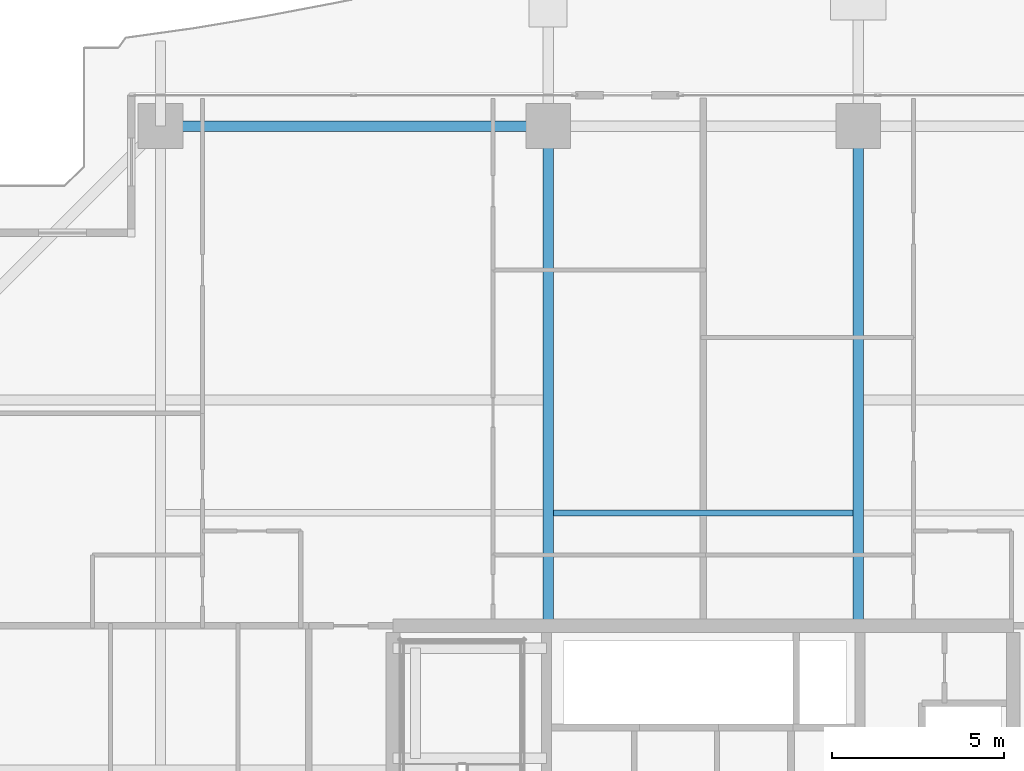
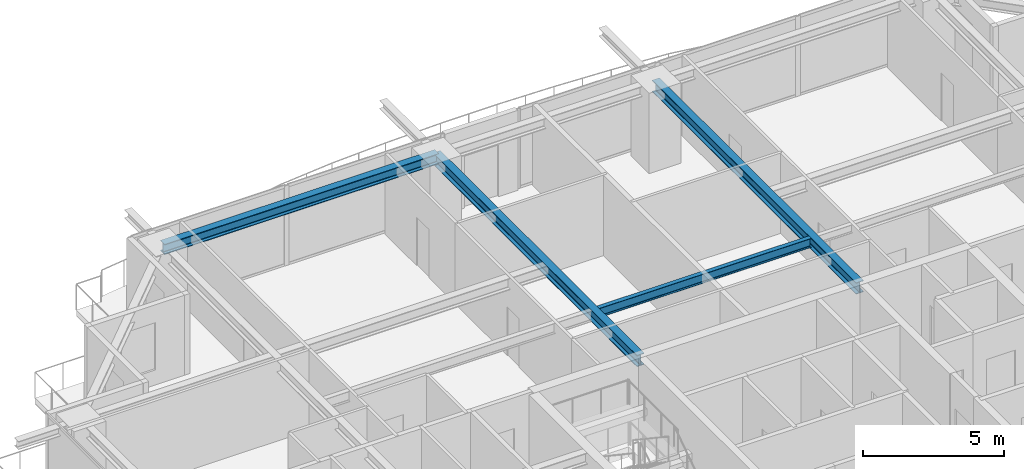
# One storey, part 20 of 38: 4 beams.
"""IFC4 building model written with IfcOpenShell, lengths in metres."""

import ifcopenshell
import ifcopenshell.guid

model = None  # the IFC model being written
_history = None  # IfcOwnerHistory: only IFC2X3 demands one
_inside = {}  # id of a spatial element -> (the spatial element, [elements in it])
_under = {}  # id of a project, library or spatial element -> (it, [spatial elements below it])
_declared = {}  # id of a project -> (the project, [libraries it declares])
_typed = {}  # id of a type object -> (the type object, [elements of that type])
_made_of = {}  # id of a material, layer set ... -> (it, [elements and type objects made of it])


def new_model(schema):
    """Start an empty IFC model of exactly this schema.

    Asked for "IFC4X3", IfcOpenShell would pick the latest addendum, in which some entities
    have other attributes; the version numbers below select the first issue.
    IFC2X3 requires an IfcOwnerHistory on every rooted entity: one is made here for all.
    """
    global model, _history
    if schema == "IFC4X3":
        model = ifcopenshell.file(schema_version=(4, 3, 0, 0))
    else:
        model = ifcopenshell.file(schema=schema)
    _inside.clear()
    _under.clear()
    _declared.clear()
    _typed.clear()
    _made_of.clear()
    _history = None
    if model.schema == "IFC2X3":
        org = make("IfcOrganization", Name="unknown")
        user = make(
            "IfcPersonAndOrganization",
            ThePerson=make("IfcPerson", FamilyName="unknown"),
            TheOrganization=org,
        )
        app = make(
            "IfcApplication",
            ApplicationDeveloper=org,
            Version="unknown",
            ApplicationFullName="unknown",
            ApplicationIdentifier="unknown",
        )
        _history = make(
            "IfcOwnerHistory",
            OwningUser=user,
            OwningApplication=app,
            ChangeAction="ADDED",
            CreationDate=0,
        )
    return model


def make(cls, **values):
    """One entity of the class cls with the attributes given. An attribute that is None is left unset."""
    return model.create_entity(
        cls, **{name: value for name, value in values.items() if value is not None}
    )


def rooted(cls, **values):
    """An entity with a GlobalId (a new one), such as an element, a storey or a relation."""
    return make(cls, GlobalId=ifcopenshell.guid.new(), OwnerHistory=_history, **values)


def si_unit(unit_type, name, prefix=None):
    """IfcSIUnit, for example si_unit("LENGTHUNIT", "METRE", prefix="MILLI")."""
    return make("IfcSIUnit", UnitType=unit_type, Prefix=prefix, Name=name)


def assignment(units):
    """IfcUnitAssignment: the units of a project."""
    return None if units is None else make("IfcUnitAssignment", Units=units)


def point(xyz):
    """IfcCartesianPoint."""
    return None if xyz is None else make("IfcCartesianPoint", Coordinates=xyz)


def direction(xyz):
    """IfcDirection."""
    return None if xyz is None else make("IfcDirection", DirectionRatios=xyz)


def frame(location, z_axis=None, x_axis=None):
    """IfcAxis2Placement3D, a coordinate frame: its origin and axes. An axis left out is left unset."""
    return make(
        "IfcAxis2Placement3D",
        Location=point(location),
        Axis=direction(z_axis),
        RefDirection=direction(x_axis),
    )


def frame_2d(location, x_axis=None):
    """IfcAxis2Placement2D, a coordinate frame in the plane: its origin and x axis."""
    return make(
        "IfcAxis2Placement2D", Location=point(location), RefDirection=direction(x_axis)
    )


def origin():
    """The frame at (0, 0, 0) with its axes left unset."""
    return frame((0.0, 0.0, 0.0))


def origin_2d():
    """The frame at (0, 0) in the plane with its x axis left unset."""
    return frame_2d((0.0, 0.0))


def place(relative_to, where):
    """IfcLocalPlacement: puts the frame where relative to a parent placement (None: the world)."""
    return make(
        "IfcLocalPlacement", PlacementRelTo=relative_to, RelativePlacement=where
    )


def context(
    kind, dimensions, precision=None, world=None, true_north=None, identifier=None
):
    """IfcGeometricRepresentationContext, for example the 3D "Model" context."""
    return make(
        "IfcGeometricRepresentationContext",
        ContextIdentifier=identifier,
        ContextType=kind,
        CoordinateSpaceDimension=dimensions,
        Precision=precision,
        WorldCoordinateSystem=world,
        TrueNorth=true_north,
    )


def subcontext(parent, identifier, kind, view, scale=None):
    """IfcGeometricRepresentationSubContext, for example "Body" below "Model"."""
    return make(
        "IfcGeometricRepresentationSubContext",
        ContextIdentifier=identifier,
        ContextType=kind,
        ParentContext=parent,
        TargetScale=scale,
        TargetView=view,
    )


def project(units=None, contexts=None):
    """IfcProject with its units and contexts."""
    return rooted(
        "IfcProject",
        Name="project",
        RepresentationContexts=contexts,
        UnitsInContext=assignment(units),
    )


def spatial(cls, under=None, at=None, **own):
    """A site, building, storey or space (cls), placed at a placement, below another one or the project."""
    s = rooted(cls, ObjectPlacement=at, **own)
    if under is not None:
        _under.setdefault(under.id(), (under, []))[1].append(s)
    return s


def profile(cls, at=None, kind="AREA", **sizes):
    """A parametric profile (cls). Its sizes go by their IFC names, for example OverallWidth=200.0."""
    return make(cls, ProfileType=kind, Position=at, **sizes)


def i_section(**sizes):
    """IfcIShapeProfileDef."""
    return profile("IfcIShapeProfileDef", **sizes)


def extrude(swept, where, along, depth):
    """IfcExtrudedAreaSolid: the profile swept, set in the frame where, extruded along a direction by depth."""
    return make(
        "IfcExtrudedAreaSolid",
        SweptArea=swept,
        Position=where,
        ExtrudedDirection=direction(along),
        Depth=depth,
    )


def shape(context_of_items, identifier, shape_type, items):
    """IfcShapeRepresentation: the items that make up one representation, for example the "Body"."""
    return make(
        "IfcShapeRepresentation",
        ContextOfItems=context_of_items,
        RepresentationIdentifier=identifier,
        RepresentationType=shape_type,
        Items=items,
    )


def source(mapping_origin, context_of_items, identifier, shape_type, items):
    """IfcRepresentationMap: a shape defined once, which mapped items show again and again."""
    return make(
        "IfcRepresentationMap",
        MappingOrigin=mapping_origin,
        MappedRepresentation=shape(context_of_items, identifier, shape_type, items),
    )


def transform(
    local_origin,
    x_axis=None,
    y_axis=None,
    z_axis=None,
    scale=None,
    scale2=None,
    scale3=None,
    uniform=True,
):
    """IfcCartesianTransformationOperator3D, or its non-uniform kind. x_axis, y_axis, z_axis: its Axis1, 2, 3."""
    if uniform:
        return make(
            "IfcCartesianTransformationOperator3D",
            Axis1=direction(x_axis),
            Axis2=direction(y_axis),
            LocalOrigin=point(local_origin),
            Scale=scale,
            Axis3=direction(z_axis),
        )
    return make(
        "IfcCartesianTransformationOperator3DnonUniform",
        Axis1=direction(x_axis),
        Axis2=direction(y_axis),
        LocalOrigin=point(local_origin),
        Scale=scale,
        Axis3=direction(z_axis),
        Scale2=scale2,
        Scale3=scale3,
    )


def mapped(mapping_source, mapping_target):
    """IfcMappedItem: shows the shape of a source again, moved by a transform."""
    return make(
        "IfcMappedItem", MappingSource=mapping_source, MappingTarget=mapping_target
    )


def material(Name=None, Category=None):
    """IfcMaterial."""
    return make("IfcMaterial", Name=Name, Category=Category)


def material_profile(
    of_material, cross_section, Name=None, Category=None, Priority=None
):
    """IfcMaterialProfile: a cross section and its material."""
    return make(
        "IfcMaterialProfile",
        Name=Name,
        Material=of_material,
        Profile=cross_section,
        Priority=Priority,
        Category=Category,
    )


def profile_set(profiles, Name=None, composite=None):
    """IfcMaterialProfileSet."""
    return make(
        "IfcMaterialProfileSet",
        Name=Name,
        MaterialProfiles=profiles,
        CompositeProfile=composite,
    )


def made_of(thing, what):
    """Note that an element or type object is made of a material, layer set ...; save() writes the relation."""
    if what is not None:
        _made_of.setdefault(what.id(), (what, []))[1].append(thing)
    return thing


def type_object(cls, material=None, **own):
    """A type object (cls), such as IfcWallType, which elements share."""
    return made_of(rooted(cls, **own), material)


def element(
    cls,
    number,
    at=None,
    inside=None,
    cuts=None,
    type_object=None,
    material=None,
    context=None,
    identifier="Body",
    shape_type=None,
    held_by="IfcProductDefinitionShape",
    body=None,
    shapes=None,
    **own,
):
    """One element of the class cls, such as IfcWall. Its Tag is "e" and its number.

    at: its placement. inside: the storey or other place that contains it. cuts: it is an
    opening in that element (IfcRelVoidsElement). A single representation is given by context,
    identifier, shape_type and body (its items); several are given by shapes. held_by: the class
    of the entity that holds the representations. save() writes the other relations.
    """
    e = rooted(cls, Tag="e%d" % number, ObjectPlacement=at, **own)
    if body is not None:
        shapes = [shape(context, identifier, shape_type, body)]
    if shapes is not None:
        e.Representation = make(held_by, Representations=shapes)
    if inside is not None:
        _inside.setdefault(inside.id(), (inside, []))[1].append(e)
    if cuts is not None:
        rooted(
            "IfcRelVoidsElement", RelatingBuildingElement=cuts, RelatedOpeningElement=e
        )
    if type_object is not None:
        _typed.setdefault(type_object.id(), (type_object, []))[1].append(e)
    return made_of(e, material)


def aggregate(whole, parts):
    """IfcRelAggregates: a whole, such as a stair, and the parts it consists of."""
    return rooted("IfcRelAggregates", RelatingObject=whole, RelatedObjects=parts)


def save(model, path):
    """Write the relations noted so far, then the file.

    IfcRelAggregates (storeys below a building ...), IfcRelContainedInSpatialStructure (elements
    in a storey), IfcRelDefinesByType, IfcRelAssociatesMaterial and IfcRelDeclares: one each for
    every whole, place, type object, material and project.
    """
    for whole, parts in _under.values():
        aggregate(whole, parts)
    for where, things in _inside.values():
        rooted(
            "IfcRelContainedInSpatialStructure",
            RelatedElements=things,
            RelatingStructure=where,
        )
    for kind, things in _typed.values():
        rooted("IfcRelDefinesByType", RelatedObjects=things, RelatingType=kind)
    for what, things in _made_of.values():
        rooted("IfcRelAssociatesMaterial", RelatedObjects=things, RelatingMaterial=what)
    for by, libraries in _declared.values():
        rooted("IfcRelDeclares", RelatingContext=by, RelatedDefinitions=libraries)
    model.write(path)


model = new_model("IFC4")

# Units and contexts
model_context = context("Model", 3, precision=1e-05, world=origin(), true_north=direction((0.0, 1.0)))
body_context = subcontext(model_context, "Body", "Model", "MODEL_VIEW")
ifc_project = project(units=[si_unit("LENGTHUNIT", "METRE"), si_unit("AREAUNIT", "SQUARE_METRE"), si_unit("VOLUMEUNIT", "CUBIC_METRE"), si_unit("PLANEANGLEUNIT", "RADIAN"), si_unit("MASSUNIT", "GRAM", prefix="KILO")], contexts=[model_context])

# Site, building, storey
site_placement = place(None, origin())
site = spatial("IfcSite", under=ifc_project, at=site_placement, CompositionType="ELEMENT")
building_placement = place(site_placement, origin())
building = spatial("IfcBuilding", under=site, at=building_placement, Name="Serunith Strait Residences", CompositionType="ELEMENT")
storey_placement = place(building_placement, frame((0.0, 0.0, 120.14990234375)))
storey = spatial("IfcBuildingStorey", under=building, at=storey_placement, Name="L29", CompositionType="ELEMENT", Elevation=120.14990234375)

# Beams
ifc_material = material(Name="Steel S355J2", Category="steel")
ifc_material_profile_1 = material_profile(ifc_material, i_section(OverallWidth=0.179931640625, OverallDepth=0.39990234375, WebThickness=0.008544921875, FlangeThickness=0.013427734375, FilletRadius=0.02099609375, at=origin_2d()), Name="IPE 400")
ifc_profile_set_1 = profile_set([ifc_material_profile_1], Name="Steel S355J2")
beam_type_1 = type_object("IfcBeamType", Name="BM-IPE400", PredefinedType="JOIST", material=ifc_profile_set_1)
shared_shape_1 = source(origin(), body_context, "Body", "SweptSolid", [
    extrude(i_section(OverallWidth=0.179931640625, OverallDepth=0.39990234375, WebThickness=0.008544921875, FlangeThickness=0.013427734375, FilletRadius=0.02099609375, at=origin_2d()), origin(), (0.0, 0.0, 1.0), 8.699951171875),
])
beam_1_placement = place(storey_placement, frame((28.050048828125, 36.875, 3.287109375), z_axis=(1.0, 0.0, 0.0), x_axis=(0.0, 1.0, 0.0)))
element("IfcBeam", 1, at=beam_1_placement, inside=storey, type_object=beam_type_1, Name="L29 Composite Floor Joist 05", PredefinedType="JOIST", context=body_context, shape_type="MappedRepresentation", body=[
    mapped(shared_shape_1, transform((0.0, 0.0, 0.0), scale=1.0)),
])
ifc_material_profile_2 = material_profile(ifc_material, i_section(OverallWidth=0.300048828125, OverallDepth=0.5, WebThickness=0.014404296875, FlangeThickness=0.028076171875, FilletRadius=0.027099609375, at=origin_2d()), Name="HEB 500")
ifc_profile_set_2 = profile_set([ifc_material_profile_2], Name="Steel S355J2")
beam_type_2 = type_object("IfcBeamType", Name="BM-HEB500", PredefinedType="BEAM", material=ifc_profile_set_2)
shared_shape_2 = source(origin(), body_context, "Body", "SweptSolid", [
    extrude(i_section(OverallWidth=0.300048828125, OverallDepth=0.5, WebThickness=0.014404296875, FlangeThickness=0.028076171875, FilletRadius=0.027099609375, at=origin_2d()), origin(), (0.0, 0.0, 1.0), 14.5),
])
for number, where, z_axis, x_axis, name in (
    (2, (27.89990234375, 33.60009765625, 3.237060546875), (0.0, 1.0, 0.0), (-1.0, 0.0, 0.0), "L29 Primary Floor Girder TC-N2"),
    (3, (36.89990234375, 33.60009765625, 3.237060546875), (0.0, 1.0, 0.0), (-1.0, 0.0, 0.0), "L29 Primary Floor Girder TC-N3"),
):
    element("IfcBeam", number, at=place(storey_placement, frame(where, z_axis=z_axis, x_axis=x_axis)), inside=storey, type_object=beam_type_2, Name=name, PredefinedType="BEAM", context=body_context, shape_type="MappedRepresentation", body=[
        mapped(shared_shape_2, transform((0.0, 0.0, 0.0), scale=1.0)),
    ])
ifc_material_profile_3 = material_profile(ifc_material, i_section(OverallWidth=0.300048828125, OverallDepth=0.449951171875, WebThickness=0.013916015625, FlangeThickness=0.02587890625, FilletRadius=0.027099609375, at=origin_2d()), Name="HEB 450")
ifc_profile_set_3 = profile_set([ifc_material_profile_3], Name="Steel S355J2")
beam_type_3 = type_object("IfcBeamType", Name="BM-HEB450", PredefinedType="BEAM", material=ifc_profile_set_3)
shared_shape_3 = source(origin(), body_context, "Body", "SweptSolid", [
    extrude(i_section(OverallWidth=0.300048828125, OverallDepth=0.449951171875, WebThickness=0.013916015625, FlangeThickness=0.02587890625, FilletRadius=0.027099609375, at=origin_2d()), origin(), (0.0, 0.0, 1.0), 11.25),
])
beam_2_placement = place(storey_placement, frame((27.89990234375, 48.10009765625, 3.26220703125), z_axis=(-1.0, 0.0, 0.0), x_axis=(0.0, -1.0, 0.0)))
element("IfcBeam", 4, at=beam_2_placement, inside=storey, type_object=beam_type_3, Name="L29 Perimeter Ring Beam 11", PredefinedType="BEAM", context=body_context, shape_type="MappedRepresentation", body=[
    mapped(shared_shape_3, transform((0.0, 0.0, 0.0), scale=1.0)),
])

save(model, "model.ifc")
